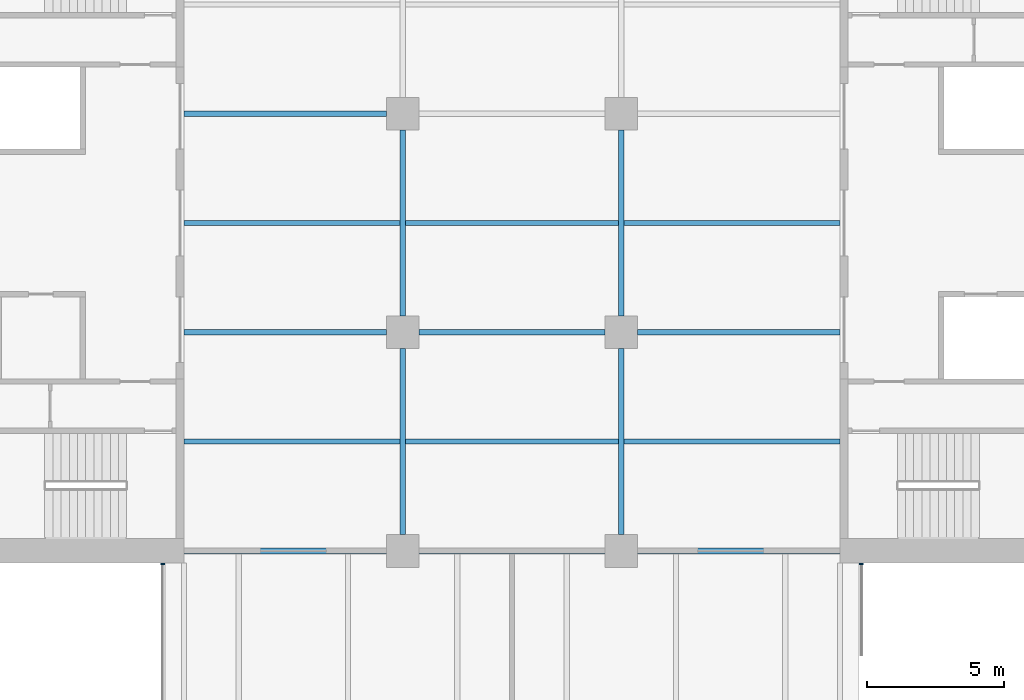
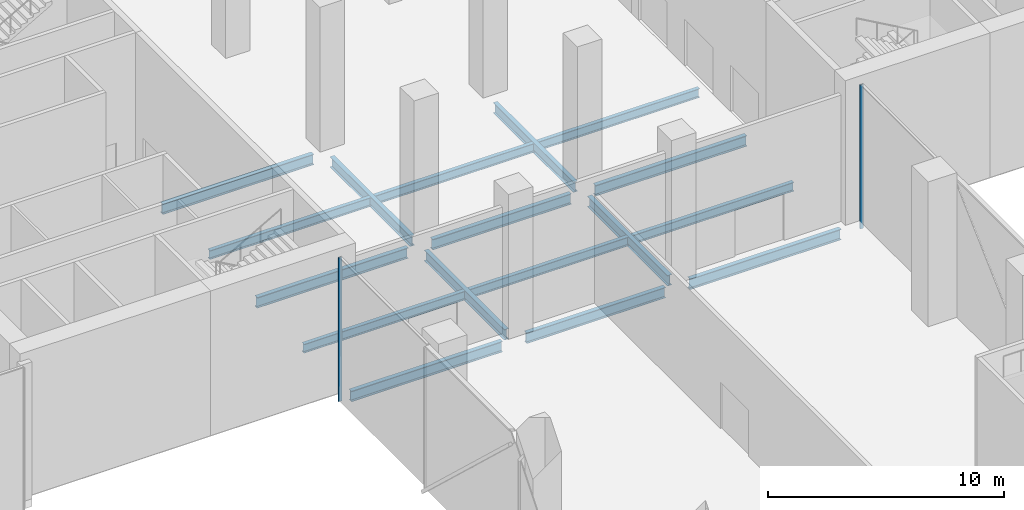
# One storey, part 5 of 25: 17 beams, 2 members, 2 elements without a shape of their own.
"""IFC4 building model written with IfcOpenShell, lengths in metres."""

from ifc_helpers import new_model, si_unit, direction, frame, origin, origin_2d, place, context, subcontext, project, spatial, rectangle, i_section, extrude, material, material_profile, profile_set, type_object, element, aggregate, save


model = new_model("IFC4")

# Units and contexts
model_context = context("Model", 3, precision=1e-05, world=origin(), true_north=direction((0.0, 1.0)))
body_context = subcontext(model_context, "Body", "Model", "MODEL_VIEW")
ifc_project = project(units=[si_unit("LENGTHUNIT", "METRE"), si_unit("AREAUNIT", "SQUARE_METRE"), si_unit("VOLUMEUNIT", "CUBIC_METRE"), si_unit("PLANEANGLEUNIT", "RADIAN"), si_unit("MASSUNIT", "GRAM", prefix="KILO")], contexts=[model_context])

# Site, building, storey
site_placement = place(None, origin())
site = spatial("IfcSite", under=ifc_project, at=site_placement, CompositionType="ELEMENT")
building_placement = place(site_placement, origin())
building = spatial("IfcBuilding", under=site, at=building_placement, Name="Crosswind Convention Tower", CompositionType="ELEMENT")
storey_placement = place(building_placement, frame((0.0, 0.0, 34.0)))
storey = spatial("IfcBuildingStorey", under=building, at=storey_placement, Name="L04", CompositionType="ELEMENT", Elevation=34.0)

# Beams
ifc_material_1 = material(Name="Steel S355", Category="steel")
ifc_material_profile_1 = material_profile(ifc_material_1, i_section(OverallWidth=0.2119140625, OverallDepth=0.544677734375, WebThickness=0.0126953125, FlangeThickness=0.021240234375, FilletRadius=0.0126953125, at=origin_2d()), Name="UB 533x210x122")
ifc_profile_set_1 = profile_set([ifc_material_profile_1], Name="Steel S355")
beam_type_1 = type_object("IfcBeamType", Name="Girder UB 533x210x122", PredefinedType="BEAM", material=ifc_profile_set_1)
for number, where, z_axis, x_axis, name in (
    (1, (121.0, 88.60009765625, -0.67236328125), (0.0, 1.0, 0.0), (-1.0, 0.0, 0.0), "B6 L04 girder 1"),
    (2, (121.0, 96.60009765625, -0.67236328125), (0.0, 1.0, 0.0), (-1.0, 0.0, 0.0), "B6 L04 girder 2"),
    (3, (121.60009765625, 88.0, -0.67236328125), (1.0, 0.0, 0.0), (0.0, 1.0, 0.0), "B6 L04 girder 4"),
    (4, (121.60009765625, 96.0, -0.67236328125), (1.0, 0.0, 0.0), (0.0, 1.0, 0.0), "B6 L04 girder 5"),
    (5, (129.0, 88.60009765625, -0.67236328125), (0.0, 1.0, 0.0), (-1.0, 0.0, 0.0), "B6 L04 girder 8"),
    (6, (129.0, 96.60009765625, -0.67236328125), (0.0, 1.0, 0.0), (-1.0, 0.0, 0.0), "B6 L04 girder 9"),
):
    element("IfcBeam", number, at=place(storey_placement, frame(where, z_axis=z_axis, x_axis=x_axis)), inside=storey, type_object=beam_type_1, Name=name, PredefinedType="BEAM", context=body_context, shape_type="SweptSolid", body=[
        extrude(i_section(OverallWidth=0.2119140625, OverallDepth=0.544677734375, WebThickness=0.0126953125, FlangeThickness=0.021240234375, FilletRadius=0.0126953125, at=origin_2d()), origin(), (0.0, 0.0, 1.0), 6.7998046875),
    ])
ifc_material_profile_2 = material_profile(ifc_material_1, i_section(OverallWidth=0.214111328125, OverallDepth=0.549072265625, WebThickness=0.0146484375, FlangeThickness=0.023681640625, FilletRadius=0.0126953125, at=origin_2d()), Name="UB 533x210x138")
ifc_profile_set_2 = profile_set([ifc_material_profile_2], Name="Steel S355")
beam_type_2 = type_object("IfcBeamType", Name="Girder at core wall UB 533x210x138", PredefinedType="BEAM", material=ifc_profile_set_2)
for number, where, z_axis, x_axis, name in (
    (7, (113.0, 88.0, -0.674560546875), (1.0, 0.0, 0.0), (0.0, 1.0, 0.0), "B27 L04 girder at core wall 1"),
    (8, (113.0, 96.0, -0.674560546875), (1.0, 0.0, 0.0), (0.0, 1.0, 0.0), "B27 L04 girder at core wall 2"),
    (9, (113.0, 104.0, -0.674560546875), (1.0, 0.0, 0.0), (0.0, 1.0, 0.0), "B27 L04 girder at core wall 3"),
    (10, (129.60009765625, 88.0, -0.674560546875), (1.0, 0.0, 0.0), (0.0, 1.0, 0.0), "B27 L04 girder at core wall 5"),
    (11, (129.60009765625, 96.0, -0.674560546875), (1.0, 0.0, 0.0), (0.0, 1.0, 0.0), "B27 L04 girder at core wall 6"),
):
    element("IfcBeam", number, at=place(storey_placement, frame(where, z_axis=z_axis, x_axis=x_axis)), inside=storey, type_object=beam_type_2, Name=name, PredefinedType="BEAM", context=body_context, shape_type="SweptSolid", body=[
        extrude(i_section(OverallWidth=0.214111328125, OverallDepth=0.549072265625, WebThickness=0.0146484375, FlangeThickness=0.023681640625, FilletRadius=0.0126953125, at=origin_2d()), origin(), (0.0, 0.0, 1.0), 7.39990234375),
    ])

# Curtain wall, member
ifc_material_2 = material(Name="Aluminium unitised curtain wall", Category="aluminium")
curtain_wall_type = type_object("IfcCurtainWallType", Name="CORE END SLOT WALL 160", PredefinedType="USERDEFINED", material=ifc_material_2)
curtain_wall_1_placement = place(storey_placement, origin())
curtain_wall_1 = element("IfcCurtainWall", 12, at=curtain_wall_1_placement, inside=storey, type_object=curtain_wall_type, Name="CW6 L04 S-W.1-1 slot", ObjectType="UNITISED", PredefinedType="USERDEFINED")
ifc_material_3 = material(Name="Aluminium mullion", Category="aluminium")
ifc_material_profile_3 = material_profile(ifc_material_3, rectangle(XDim=0.159912109375, YDim=0.050048828125, at=origin_2d()), Name="AL 160X50")
ifc_profile_set_3 = profile_set([ifc_material_profile_3], Name="Aluminium mullion")
member_type = type_object("IfcMemberType", Name="MULLION 50X160", PredefinedType="MULLION", material=ifc_profile_set_3)
member_1_placement = place(storey_placement, frame((112.219970703125, 87.52490234375, -0.39990234375), z_axis=(0.0, 0.0, 1.0), x_axis=(-1.0, 0.0, 0.0)))
member_1 = element("IfcMember", 13, at=member_1_placement, type_object=member_type, Name="CW6 mullion 1", PredefinedType="MULLION", context=body_context, shape_type="SweptSolid", body=[
    extrude(rectangle(XDim=0.159912109375, YDim=0.050048828125, at=origin_2d()), origin(), (0.0, 0.0, 1.0), 7.449951171875),
])
aggregate(curtain_wall_1, [member_1])

curtain_wall_2_placement = place(storey_placement, origin())
curtain_wall_2 = element("IfcCurtainWall", 14, at=curtain_wall_2_placement, inside=storey, type_object=curtain_wall_type, Name="CW6 L04 S-E.1-4 slot", ObjectType="UNITISED", PredefinedType="USERDEFINED")
member_2_placement = place(storey_placement, frame((137.780029296875, 87.52490234375, -0.39990234375), z_axis=(0.0, 0.0, 1.0), x_axis=(1.0, 0.0, 0.0)))
member_2 = element("IfcMember", 15, at=member_2_placement, type_object=member_type, Name="CW6 mullion 2", PredefinedType="MULLION", context=body_context, shape_type="SweptSolid", body=[
    extrude(rectangle(XDim=0.159912109375, YDim=0.050048828125, at=origin_2d()), origin(), (0.0, 0.0, 1.0), 7.449951171875),
])
aggregate(curtain_wall_2, [member_2])

# Beams
ifc_material_profile_4 = material_profile(ifc_material_1, i_section(OverallWidth=0.19140625, OverallDepth=0.460205078125, WebThickness=0.010009765625, FlangeThickness=0.01611328125, FilletRadius=0.01025390625, at=origin_2d()), Name="UB 457x191x82")
ifc_profile_set_4 = profile_set([ifc_material_profile_4], Name="Steel S355")
beam_type_3 = type_object("IfcBeamType", Name="Secondary beam UB 457x191x82", PredefinedType="JOIST", material=ifc_profile_set_4)
for number, where, z_axis, x_axis, name in (
    (16, (113.0, 92.0, -0.630126953125), (1.0, 0.0, 0.0), (0.0, 1.0, 0.0), "B13 L04 secondary beam 11"),
    (17, (113.0, 100.0, -0.630126953125), (1.0, 0.0, 0.0), (0.0, 1.0, 0.0), "B13 L04 secondary beam 12"),
):
    element("IfcBeam", number, at=place(storey_placement, frame(where, z_axis=z_axis, x_axis=x_axis)), inside=storey, type_object=beam_type_3, Name=name, PredefinedType="JOIST", context=body_context, shape_type="SweptSolid", body=[
        extrude(i_section(OverallWidth=0.19140625, OverallDepth=0.460205078125, WebThickness=0.010009765625, FlangeThickness=0.01611328125, FilletRadius=0.01025390625, at=origin_2d()), origin(), (0.0, 0.0, 1.0), 7.89404296875),
    ])
for number, where, z_axis, x_axis, name in (
    (18, (121.10595703125, 92.0, -0.630126953125), (1.0, 0.0, 0.0), (0.0, 1.0, 0.0), "B13 L04 secondary beam 28"),
    (19, (121.10595703125, 100.0, -0.630126953125), (1.0, 0.0, 0.0), (0.0, 1.0, 0.0), "B13 L04 secondary beam 29"),
):
    element("IfcBeam", number, at=place(storey_placement, frame(where, z_axis=z_axis, x_axis=x_axis)), inside=storey, type_object=beam_type_3, Name=name, PredefinedType="JOIST", context=body_context, shape_type="SweptSolid", body=[
        extrude(i_section(OverallWidth=0.19140625, OverallDepth=0.460205078125, WebThickness=0.010009765625, FlangeThickness=0.01611328125, FilletRadius=0.01025390625, at=origin_2d()), origin(), (0.0, 0.0, 1.0), 7.7880859375),
    ])
for number, where, z_axis, x_axis, name in (
    (20, (129.10595703125, 92.0, -0.630126953125), (1.0, 0.0, 0.0), (0.0, 1.0, 0.0), "B13 L04 secondary beam 47"),
    (21, (129.10595703125, 100.0, -0.630126953125), (1.0, 0.0, 0.0), (0.0, 1.0, 0.0), "B13 L04 secondary beam 48"),
):
    element("IfcBeam", number, at=place(storey_placement, frame(where, z_axis=z_axis, x_axis=x_axis)), inside=storey, type_object=beam_type_3, Name=name, PredefinedType="JOIST", context=body_context, shape_type="SweptSolid", body=[
        extrude(i_section(OverallWidth=0.19140625, OverallDepth=0.460205078125, WebThickness=0.010009765625, FlangeThickness=0.01611328125, FilletRadius=0.01025390625, at=origin_2d()), origin(), (0.0, 0.0, 1.0), 7.89404296875),
    ])

save(model, "model.ifc")
